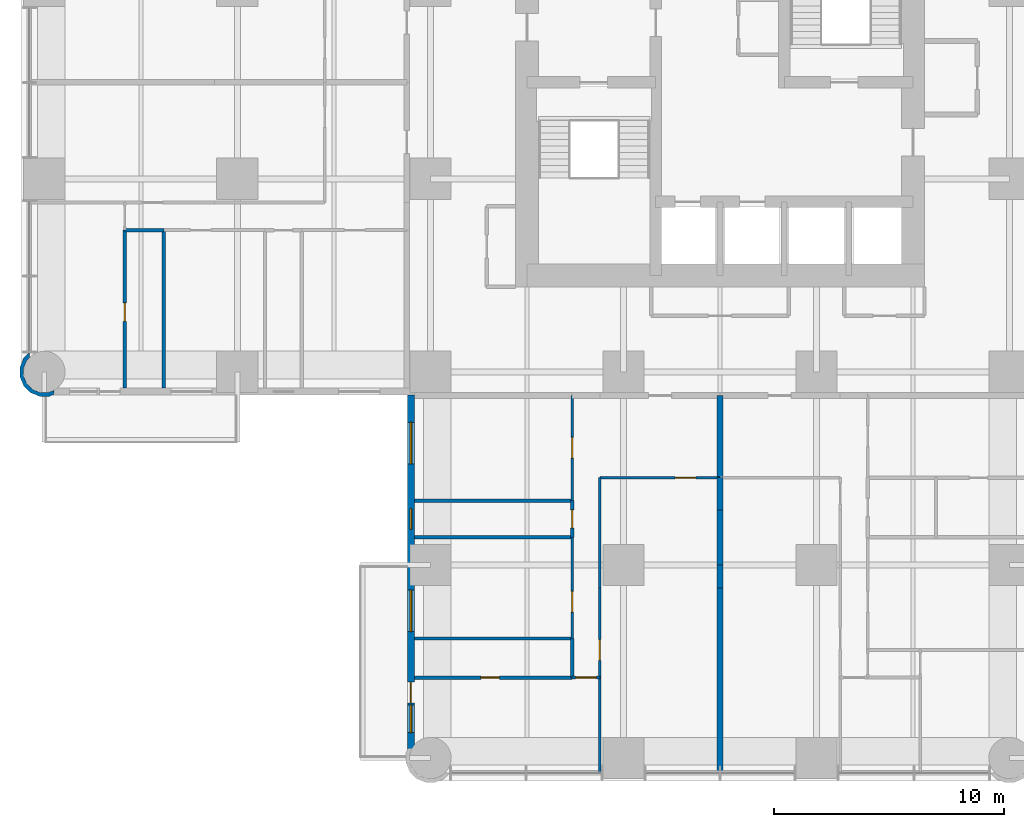
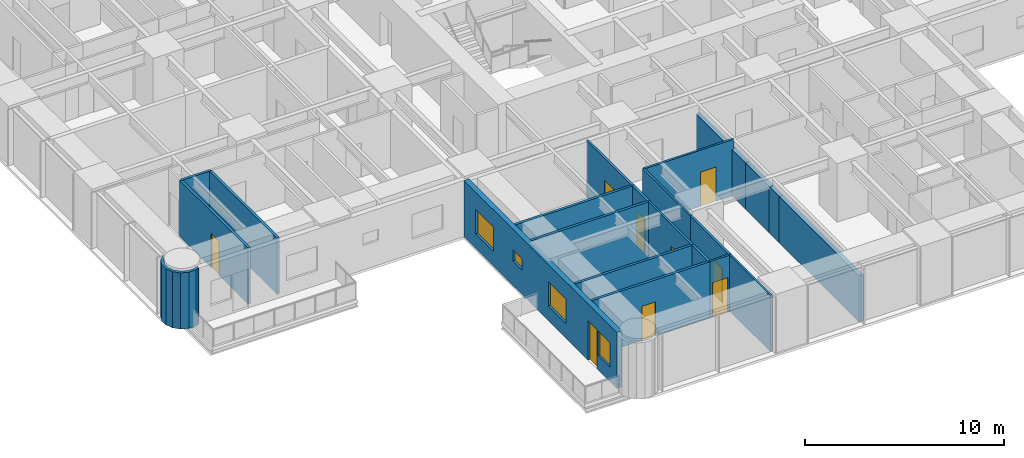
# One storey, part 7 of 17: 23 walls, 9 doors, 4 windows, 13 openings.
"""IFC4 building model written with IfcOpenShell, lengths in metres."""

from ifc_helpers import new_model, si_unit, direction, frame, frame_2d, origin, place, context, subcontext, project, spatial, polyline, rectangle, outline, extrude, material, layer, layer_set, type_object, element, fill, save


model = new_model("IFC4")

# Units and contexts
model_context = context("Model", 3, precision=1e-05, world=origin(), true_north=direction((0.0, 1.0)))
body_context = subcontext(model_context, "Body", "Model", "MODEL_VIEW")
ifc_project = project(units=[si_unit("LENGTHUNIT", "METRE"), si_unit("AREAUNIT", "SQUARE_METRE"), si_unit("VOLUMEUNIT", "CUBIC_METRE"), si_unit("PLANEANGLEUNIT", "RADIAN"), si_unit("MASSUNIT", "GRAM", prefix="KILO")], contexts=[model_context])

# Site, building, storey
site_placement = place(None, origin())
site = spatial("IfcSite", under=ifc_project, at=site_placement, CompositionType="ELEMENT")
building_placement = place(site_placement, origin())
building = spatial("IfcBuilding", under=site, at=building_placement, Name="Torre Alcanfor", CompositionType="ELEMENT")
storey_placement = place(building_placement, frame((0.0, 0.0, 59.699951171875)))
storey = spatial("IfcBuildingStorey", under=building, at=storey_placement, Name="L14", CompositionType="ELEMENT", Elevation=59.699951171875)

# Wall, opening, door
ifc_material_1 = material(Name="Gypsum board on steel studs", Category="steel")
ifc_layer_1 = layer(ifc_material_1, 0.1201171875)
ifc_layer_set_1 = layer_set([ifc_layer_1], Name="Apartment partition 120")
wall_type_1 = type_object("IfcWallType", Name="Apartment partition 120", PredefinedType="PARTITIONING", material=ifc_layer_set_1)
wall_1_placement = place(storey_placement, frame((29.39990234375, 12.199951171875, 0.0), z_axis=(0.0, 0.0, 1.0), x_axis=(-1.0, 0.0, 0.0)))
wall_1 = element("IfcWall", 1, at=wall_1_placement, inside=storey, type_object=wall_type_1, Name="Partition L14-S2-ZAG / L14-S2-KITCHEN", PredefinedType="PARTITIONING", context=body_context, shape_type="SweptSolid", body=[
    extrude(rectangle(XDim=5.22900390625, YDim=0.1201171875, at=frame_2d((2.614501953125, 0.0))), origin(), (0.0, 0.0, 1.0), 3.449951171875),
])
opening_1_placement = place(wall_1_placement, frame((1.050048828125, 0.0, 0.0)))
opening_1 = element("IfcOpeningElement", 2, at=opening_1_placement, cuts=wall_1, Name="Opening D-R1", PredefinedType="OPENING", context=body_context, shape_type="SweptSolid", body=[
    extrude(rectangle(XDim=0.89990234375, YDim=2.10009765625, at=frame_2d((0.449951171875, 1.050048828125))), frame((0.0, 0.070068359375, 0.0), z_axis=(0.0, -1.0, 0.0), x_axis=(1.0, 0.0, 0.0)), (0.0, 0.0, 1.0), 0.14013671875),
])
ifc_material_2 = material(Name="Timber", Category="wood")
door_type_1 = type_object("IfcDoorType", Name="Internal door 900x2100", OperationType="SINGLE_SWING_LEFT", PredefinedType="DOOR", material=ifc_material_2)
door_1_placement = place(opening_1_placement, origin())
door_1 = element("IfcDoor", 3, at=door_1_placement, inside=storey, type_object=door_type_1, Name="Door L14-S2 kitchen", OperationType="SINGLE_SWING_LEFT", OverallHeight=2.10009765625, OverallWidth=0.89990234375, PredefinedType="DOOR", context=body_context, shape_type="SweptSolid", body=[
    extrude(rectangle(XDim=0.89990234375, YDim=2.10009765625, at=frame_2d((0.449951171875, 1.050048828125))), frame((0.0, 0.02490234375, 0.0), z_axis=(0.0, -1.0, 0.0), x_axis=(1.0, 0.0, 0.0)), (0.0, 0.0, 1.0), 0.050048828125),
])
fill(opening_1, door_1)

# Wall
wall_2_placement = place(storey_placement, frame((24.1708984375, 7.39990234375, 0.0), z_axis=(0.0, 0.0, 1.0), x_axis=(0.0, 1.0, 0.0)))
element("IfcWall", 4, at=wall_2_placement, inside=storey, type_object=wall_type_1, Name="Partition L14-S2-KITCHEN / L14-S2-HALL", PredefinedType="PARTITIONING", context=body_context, shape_type="SweptSolid", body=[
    extrude(rectangle(XDim=4.800048828125, YDim=0.1201171875, at=frame_2d((2.39990234375, 0.0))), origin(), (0.0, 0.0, 1.0), 3.449951171875),
])

# Wall, opening, door
wall_3_placement = place(storey_placement, frame((24.1708984375, 3.5, 0.0), z_axis=(0.0, 0.0, 1.0), x_axis=(0.0, 1.0, 0.0)))
wall_3 = element("IfcWall", 5, at=wall_3_placement, inside=storey, type_object=wall_type_1, Name="Partition L14-S2-LIVING / L14-S2-HALL", PredefinedType="PARTITIONING", context=body_context, shape_type="SweptSolid", body=[
    extrude(rectangle(XDim=3.89990234375, YDim=0.1201171875, at=frame_2d((1.949951171875, 0.0))), origin(), (0.0, 0.0, 1.0), 3.449951171875),
])
opening_2_placement = place(wall_3_placement, frame((0.75, 0.0, 0.0)))
opening_2 = element("IfcOpeningElement", 6, at=opening_2_placement, cuts=wall_3, Name="Opening D-R1", PredefinedType="OPENING", context=body_context, shape_type="SweptSolid", body=[
    extrude(rectangle(XDim=0.89990234375, YDim=2.10009765625, at=frame_2d((0.449951171875, 1.050048828125))), frame((0.0, 0.070068359375, 0.0), z_axis=(0.0, -1.0, 0.0), x_axis=(1.0, 0.0, 0.0)), (0.0, 0.0, 1.0), 0.14013671875),
])
door_2_placement = place(opening_2_placement, frame((0.89990234375, 0.0, 0.0), z_axis=(0.0, 0.0, 1.0), x_axis=(-1.0, 0.0, 0.0)))
door_2 = element("IfcDoor", 7, at=door_2_placement, inside=storey, type_object=door_type_1, Name="Door L14-S2 living", OperationType="SINGLE_SWING_LEFT", OverallHeight=2.10009765625, OverallWidth=0.89990234375, PredefinedType="DOOR", context=body_context, shape_type="SweptSolid", body=[
    extrude(rectangle(XDim=0.89990234375, YDim=2.10009765625, at=frame_2d((0.449951171875, 1.050048828125))), frame((0.0, 0.025146484375, 0.0), z_axis=(0.0, -1.0, 0.0), x_axis=(1.0, 0.0, 0.0)), (0.0, 0.0, 1.0), 0.050048828125),
])
fill(opening_2, door_2)

# Wall
wall_4_placement = place(storey_placement, frame((24.1708984375, -0.64990234375, 0.0), z_axis=(0.0, 0.0, 1.0), x_axis=(0.0, 1.0, 0.0)))
element("IfcWall", 8, at=wall_4_placement, inside=storey, type_object=wall_type_1, Name="Partition L14-S2-LIVING / L14-S2-MASTER", PredefinedType="PARTITIONING", context=body_context, shape_type="SweptSolid", body=[
    extrude(rectangle(XDim=4.14990234375, YDim=0.1201171875, at=frame_2d((2.074951171875, 0.0))), origin(), (0.0, 0.0, 1.0), 3.449951171875),
])

# Wall, opening, door
wall_5_placement = place(storey_placement, frame((22.970947265625, 11.199951171875, 0.0), z_axis=(0.0, 0.0, 1.0), x_axis=(0.0, 1.0, 0.0)))
wall_5 = element("IfcWall", 9, at=wall_5_placement, inside=storey, type_object=wall_type_1, Name="Partition L14-S2-HALL / L14-S2-BED3", PredefinedType="PARTITIONING", context=body_context, shape_type="SweptSolid", body=[
    extrude(rectangle(XDim=4.574951171875, YDim=0.1201171875, at=frame_2d((2.28759765625, 0.0))), origin(), (0.0, 0.0, 1.0), 3.449951171875),
])
opening_3_placement = place(wall_5_placement, frame((1.85009765625, 0.0, 0.0)))
opening_3 = element("IfcOpeningElement", 10, at=opening_3_placement, cuts=wall_5, Name="Opening D-R1", PredefinedType="OPENING", context=body_context, shape_type="SweptSolid", body=[
    extrude(rectangle(XDim=0.89990234375, YDim=2.10009765625, at=frame_2d((0.449951171875, 1.050048828125))), frame((0.0, 0.070068359375, 0.0), z_axis=(0.0, -1.0, 0.0), x_axis=(1.0, 0.0, 0.0)), (0.0, 0.0, 1.0), 0.14013671875),
])
door_3_placement = place(opening_3_placement, origin())
door_3 = element("IfcDoor", 11, at=door_3_placement, inside=storey, type_object=door_type_1, Name="Door L14-S2 bed3", OperationType="SINGLE_SWING_RIGHT", OverallHeight=2.10009765625, OverallWidth=0.89990234375, PredefinedType="DOOR", context=body_context, shape_type="SweptSolid", body=[
    extrude(rectangle(XDim=0.89990234375, YDim=2.10009765625, at=frame_2d((0.449951171875, 1.050048828125))), frame((0.0, 0.02490234375, 0.0), z_axis=(0.0, -1.0, 0.0), x_axis=(1.0, 0.0, 0.0)), (0.0, 0.0, 1.0), 0.050048828125),
])
fill(opening_3, door_3)

wall_6_placement = place(storey_placement, frame((22.970947265625, 5.199951171875, 0.0), z_axis=(0.0, 0.0, 1.0), x_axis=(0.0, 1.0, 0.0)))
wall_6 = element("IfcWall", 12, at=wall_6_placement, inside=storey, type_object=wall_type_1, Name="Partition L14-S2-HALL / L14-S2-BED2", PredefinedType="PARTITIONING", context=body_context, shape_type="SweptSolid", body=[
    extrude(rectangle(XDim=4.400146484375, YDim=0.1201171875, at=frame_2d((2.2001953125, 0.0))), origin(), (0.0, 0.0, 1.0), 3.449951171875),
])
opening_4_placement = place(wall_6_placement, frame((1.14990234375, 0.0, 0.0)))
opening_4 = element("IfcOpeningElement", 13, at=opening_4_placement, cuts=wall_6, Name="Opening D-R1", PredefinedType="OPENING", context=body_context, shape_type="SweptSolid", body=[
    extrude(rectangle(XDim=0.89990234375, YDim=2.10009765625, at=frame_2d((0.449951171875, 1.050048828125))), frame((0.0, 0.070068359375, 0.0), z_axis=(0.0, -1.0, 0.0), x_axis=(1.0, 0.0, 0.0)), (0.0, 0.0, 1.0), 0.14013671875),
])
door_4_placement = place(opening_4_placement, origin())
door_4 = element("IfcDoor", 14, at=door_4_placement, inside=storey, type_object=door_type_1, Name="Door L14-S2 bed2", OperationType="SINGLE_SWING_LEFT", OverallHeight=2.10009765625, OverallWidth=0.89990234375, PredefinedType="DOOR", context=body_context, shape_type="SweptSolid", body=[
    extrude(rectangle(XDim=0.89990234375, YDim=2.10009765625, at=frame_2d((0.449951171875, 1.050048828125))), frame((0.0, 0.02490234375, 0.0), z_axis=(0.0, -1.0, 0.0), x_axis=(1.0, 0.0, 0.0)), (0.0, 0.0, 1.0), 0.050048828125),
])
fill(opening_4, door_4)

wall_7_placement = place(storey_placement, frame((24.1708984375, 3.5, 0.0), z_axis=(0.0, 0.0, 1.0), x_axis=(-1.0, 0.0, 0.0)))
wall_7 = element("IfcWall", 15, at=wall_7_placement, inside=storey, type_object=wall_type_1, Name="Partition L14-S2-HALL / L14-S2-MASTER", PredefinedType="PARTITIONING", context=body_context, shape_type="SweptSolid", body=[
    extrude(rectangle(XDim=1.199951171875, YDim=0.1201171875, at=frame_2d((0.60009765625, 0.0))), origin(), (0.0, 0.0, 1.0), 3.449951171875),
])
opening_5_placement = place(wall_7_placement, frame((0.15087890625, 0.0, 0.0)))
opening_5 = element("IfcOpeningElement", 16, at=opening_5_placement, cuts=wall_7, Name="Opening D-R1", PredefinedType="OPENING", context=body_context, shape_type="SweptSolid", body=[
    extrude(rectangle(XDim=0.89990234375, YDim=2.10009765625, at=frame_2d((0.449951171875, 1.050048828125))), frame((0.0, 0.070068359375, 0.0), z_axis=(0.0, -1.0, 0.0), x_axis=(1.0, 0.0, 0.0)), (0.0, 0.0, 1.0), 0.14013671875),
])
door_5_placement = place(opening_5_placement, origin())
door_5 = element("IfcDoor", 17, at=door_5_placement, inside=storey, type_object=door_type_1, Name="Door L14-S2 master", OperationType="SINGLE_SWING_LEFT", OverallHeight=2.10009765625, OverallWidth=0.89990234375, PredefinedType="DOOR", context=body_context, shape_type="SweptSolid", body=[
    extrude(rectangle(XDim=0.89990234375, YDim=2.10009765625, at=frame_2d((0.449951171875, 1.050048828125))), frame((0.0, 0.02490234375, 0.0), z_axis=(0.0, -1.0, 0.0), x_axis=(1.0, 0.0, 0.0)), (0.0, 0.0, 1.0), 0.050048828125),
])
fill(opening_5, door_5)

# Wall, openings, door, windows
ifc_material_3 = material(Name="Limestone cladding", Category="masonry")
ifc_layer_2 = layer(ifc_material_3, 0.0400390625, Name="Facing")
ifc_material_4 = material(Name="Ventilated air cavity")
ifc_layer_3 = layer(ifc_material_4, 0.02001953125, ventilated=True, Name="Ventilated joint")
ifc_material_5 = material(Name="Mineral wool insulation", Category="insulation")
ifc_layer_4 = layer(ifc_material_5, 0.10009765625, Name="Insulation")
ifc_material_6 = material(Name="Concrete f'c 35 MPa", Category="concrete")
ifc_layer_5 = layer(ifc_material_6, 0.139892578125, Name="Backing")
ifc_layer_set_2 = layer_set([ifc_layer_2, ifc_layer_3, ifc_layer_4, ifc_layer_5], Name="External wall stone-clad 300")
wall_type_2 = type_object("IfcWallType", Name="External wall stone-clad 300", PredefinedType="SOLIDWALL", material=ifc_layer_set_2)
wall_8_placement = place(storey_placement, frame((15.949951171875, 15.800048828125, 0.0), z_axis=(0.0, 0.0, 1.0), x_axis=(0.0, -1.0, 0.0)))
wall_8 = element("IfcWall", 18, at=wall_8_placement, inside=storey, type_object=wall_type_2, Name="External wall L14 4", PredefinedType="SOLIDWALL", context=body_context, shape_type="SweptSolid", body=[
    extrude(rectangle(XDim=15.400146484375, YDim=0.300048828125, at=frame_2d((7.7001953125, 0.0))), origin(), (0.0, 0.0, 1.0), 3.449951171875),
])
opening_6_placement = place(wall_8_placement, frame((1.199951171875, 0.0, 0.89990234375)))
opening_6 = element("IfcOpeningElement", 19, at=opening_6_placement, cuts=wall_8, Name="Opening W2", PredefinedType="OPENING", context=body_context, shape_type="SweptSolid", body=[
    extrude(rectangle(XDim=1.800048828125, YDim=1.5, at=frame_2d((0.89990234375, 0.75))), frame((0.0, 0.159912109375, 0.0), z_axis=(0.0, -1.0, 0.0), x_axis=(1.0, 0.0, 0.0)), (0.0, 0.0, 1.0), 0.320068359375),
])
opening_7_placement = place(wall_8_placement, frame((4.949951171875, 0.0, 1.5)))
opening_7 = element("IfcOpeningElement", 20, at=opening_7_placement, cuts=wall_8, Name="Opening W3", PredefinedType="OPENING", context=body_context, shape_type="SweptSolid", body=[
    extrude(rectangle(XDim=0.89990234375, YDim=0.699951171875, at=frame_2d((0.449951171875, 0.35009765625))), frame((0.0, 0.159912109375, 0.0), z_axis=(0.0, -1.0, 0.0), x_axis=(1.0, 0.0, 0.0)), (0.0, 0.0, 1.0), 0.320068359375),
])
opening_8_placement = place(wall_8_placement, frame((8.5, 0.0, 0.89990234375)))
opening_8 = element("IfcOpeningElement", 21, at=opening_8_placement, cuts=wall_8, Name="Opening W2", PredefinedType="OPENING", context=body_context, shape_type="SweptSolid", body=[
    extrude(rectangle(XDim=1.800048828125, YDim=1.5, at=frame_2d((0.89990234375, 0.75))), frame((0.0, 0.159912109375, 0.0), z_axis=(0.0, -1.0, 0.0), x_axis=(1.0, 0.0, 0.0)), (0.0, 0.0, 1.0), 0.320068359375),
])
opening_9_placement = place(wall_8_placement, frame((12.5, 0.0, 0.0)))
opening_9 = element("IfcOpeningElement", 22, at=opening_9_placement, cuts=wall_8, Name="Opening D-B1", PredefinedType="OPENING", context=body_context, shape_type="SweptSolid", body=[
    extrude(rectangle(XDim=0.89990234375, YDim=2.39990234375, at=frame_2d((0.449951171875, 1.199951171875))), frame((0.0, 0.159912109375, 0.0), z_axis=(0.0, -1.0, 0.0), x_axis=(1.0, 0.0, 0.0)), (0.0, 0.0, 1.0), 0.320068359375),
])
opening_10_placement = place(wall_8_placement, frame((13.5, 0.0, 0.89990234375)))
opening_10 = element("IfcOpeningElement", 23, at=opening_10_placement, cuts=wall_8, Name="Opening W4", PredefinedType="OPENING", context=body_context, shape_type="SweptSolid", body=[
    extrude(rectangle(XDim=1.199951171875, YDim=1.5, at=frame_2d((0.60009765625, 0.75))), frame((0.0, 0.159912109375, 0.0), z_axis=(0.0, -1.0, 0.0), x_axis=(1.0, 0.0, 0.0)), (0.0, 0.0, 1.0), 0.320068359375),
])
ifc_material_7 = material(Name="Aluminium and glass", Category="aluminium")
door_type_2 = type_object("IfcDoorType", Name="Balcony door glazed 900x2400", OperationType="SINGLE_SWING_LEFT", PredefinedType="DOOR", material=ifc_material_7)
door_6_placement = place(opening_9_placement, origin())
door_6 = element("IfcDoor", 24, at=door_6_placement, inside=storey, type_object=door_type_2, Name="Balcony door L14-S2", OperationType="SINGLE_SWING_LEFT", OverallHeight=2.39990234375, OverallWidth=0.89990234375, PredefinedType="DOOR", context=body_context, shape_type="SweptSolid", body=[
    extrude(rectangle(XDim=0.89990234375, YDim=2.39990234375, at=frame_2d((0.449951171875, 1.199951171875))), frame((0.0, 0.02490234375, 0.0), z_axis=(0.0, -1.0, 0.0), x_axis=(1.0, 0.0, 0.0)), (0.0, 0.0, 1.0), 0.050048828125),
])
fill(opening_9, door_6)
ifc_material_8 = material(Name="Aluminium frame with clear double glazing", Category="aluminium")
window_type_1 = type_object("IfcWindowType", Name="Window bathroom 900x700", PartitioningType="SINGLE_PANEL", PredefinedType="WINDOW", material=ifc_material_8)
window_1_placement = place(opening_7_placement, origin())
window_1 = element("IfcWindow", 25, at=window_1_placement, inside=storey, type_object=window_type_1, Name="Window W3 L14-S2", OverallHeight=0.699951171875, OverallWidth=0.89990234375, PartitioningType="SINGLE_PANEL", PredefinedType="WINDOW", context=body_context, shape_type="SweptSolid", body=[
    extrude(rectangle(XDim=0.89990234375, YDim=0.699951171875, at=frame_2d((0.449951171875, 0.35009765625))), frame((0.0, 0.030029296875, 0.0), z_axis=(0.0, -1.0, 0.0), x_axis=(1.0, 0.0, 0.0)), (0.0, 0.0, 1.0), 0.06005859375),
])
fill(opening_7, window_1)
ifc_material_9 = material(Name="Aluminium frame with clear double glazing", Category="aluminium")
window_type_2 = type_object("IfcWindowType", Name="Window bedroom 1200x1500", PartitioningType="SINGLE_PANEL", PredefinedType="WINDOW", material=ifc_material_9)
window_2_placement = place(opening_10_placement, origin())
window_2 = element("IfcWindow", 26, at=window_2_placement, inside=storey, type_object=window_type_2, Name="Window W4 L14-S2", OverallHeight=1.5, OverallWidth=1.199951171875, PartitioningType="SINGLE_PANEL", PredefinedType="WINDOW", context=body_context, shape_type="SweptSolid", body=[
    extrude(rectangle(XDim=1.199951171875, YDim=1.5, at=frame_2d((0.60009765625, 0.75))), frame((0.0, 0.030029296875, 0.0), z_axis=(0.0, -1.0, 0.0), x_axis=(1.0, 0.0, 0.0)), (0.0, 0.0, 1.0), 0.06005859375),
])
fill(opening_10, window_2)
ifc_material_10 = material(Name="Aluminium frame with clear double glazing", Category="aluminium")
window_type_3 = type_object("IfcWindowType", Name="Window bedroom 1800x1500", PartitioningType="SINGLE_PANEL", PredefinedType="WINDOW", material=ifc_material_10)
window_3_placement = place(opening_6_placement, origin())
window_3 = element("IfcWindow", 27, at=window_3_placement, inside=storey, type_object=window_type_3, Name="Window W2 L14-S2", OverallHeight=1.5, OverallWidth=1.800048828125, PartitioningType="SINGLE_PANEL", PredefinedType="WINDOW", context=body_context, shape_type="SweptSolid", body=[
    extrude(rectangle(XDim=1.800048828125, YDim=1.5, at=frame_2d((0.89990234375, 0.75))), frame((0.0, 0.030029296875, 0.0), z_axis=(0.0, -1.0, 0.0), x_axis=(1.0, 0.0, 0.0)), (0.0, 0.0, 1.0), 0.06005859375),
])
fill(opening_6, window_3)
window_4_placement = place(opening_8_placement, origin())
window_4 = element("IfcWindow", 28, at=window_4_placement, inside=storey, type_object=window_type_3, Name="Window W2 L14-S2", OverallHeight=1.5, OverallWidth=1.800048828125, PartitioningType="SINGLE_PANEL", PredefinedType="WINDOW", context=body_context, shape_type="SweptSolid", body=[
    extrude(rectangle(XDim=1.800048828125, YDim=1.5, at=frame_2d((0.89990234375, 0.75))), frame((0.0, 0.030029296875, 0.0), z_axis=(0.0, -1.0, 0.0), x_axis=(1.0, 0.0, 0.0)), (0.0, 0.0, 1.0), 0.06005859375),
])
fill(opening_8, window_4)

# Walls
ifc_material_11 = material(Name="Concrete block masonry, hollow blocks NMX-C-404 9 MPa", Category="masonry")
ifc_layer_6 = layer(ifc_material_11, 0.25)
ifc_layer_set_3 = layer_set([ifc_layer_6], Name="Party wall 250 EI 60")
wall_type_3 = type_object("IfcWallType", Name="Party wall 250 EI 60", PredefinedType="PARTITIONING", material=ifc_layer_set_3)
wall_9_placement = place(storey_placement, frame((29.39990234375, 15.77490234375, 0.0), z_axis=(0.0, 0.0, 1.0), x_axis=(0.0, -1.0, 0.0)))
element("IfcWall", 29, at=wall_9_placement, inside=storey, type_object=wall_type_3, Name="Partition L14-S1-ZAG / L14-S2-ZAG", PredefinedType="PARTITIONING", context=body_context, shape_type="SweptSolid", body=[
    extrude(rectangle(XDim=3.574951171875, YDim=0.25, at=frame_2d((1.78759765625, 0.0))), origin(), (0.0, 0.0, 1.0), 2.84814453125),
])
wall_10_placement = place(storey_placement, frame((29.39990234375, 12.199951171875, 0.0), z_axis=(0.0, 0.0, 1.0), x_axis=(0.0, -1.0, 0.0)))
element("IfcWall", 30, at=wall_10_placement, inside=storey, type_object=wall_type_3, Name="Partition L14-S1-LAUND / L14-S2-KITCHEN", PredefinedType="PARTITIONING", context=body_context, shape_type="SweptSolid", body=[
    extrude(rectangle(XDim=1.39990234375, YDim=0.25, at=frame_2d((0.699951171875, 0.0))), origin(), (0.0, 0.0, 1.0), 2.84814453125),
])
wall_11_placement = place(storey_placement, frame((29.39990234375, 10.800048828125, 0.0), z_axis=(0.0, 0.0, 1.0), x_axis=(0.0, -1.0, 0.0)))
element("IfcWall", 31, at=wall_11_placement, inside=storey, type_object=wall_type_3, Name="Partition L14-S1-KITCHEN / L14-S2-KITCHEN", PredefinedType="PARTITIONING", context=body_context, shape_type="SweptSolid", body=[
    extrude(rectangle(XDim=2.400146484375, YDim=0.25, at=frame_2d((1.2001953125, 0.0))), origin(), (0.0, 0.0, 1.0), 2.84814453125),
])
wall_12_placement = place(storey_placement, frame((29.39990234375, 8.39990234375, 0.0), z_axis=(0.0, 0.0, 1.0), x_axis=(0.0, -1.0, 0.0)))
element("IfcWall", 32, at=wall_12_placement, inside=storey, type_object=wall_type_3, Name="Partition L14-S1-LIVING / L14-S2-KITCHEN", PredefinedType="PARTITIONING", context=body_context, shape_type="SweptSolid", body=[
    extrude(rectangle(XDim=1.0, YDim=0.25, at=frame_2d((0.5, 0.0))), origin(), (0.0, 0.0, 1.0), 2.84814453125),
])
wall_13_placement = place(storey_placement, frame((29.39990234375, 7.39990234375, 0.0), z_axis=(0.0, 0.0, 1.0), x_axis=(0.0, -1.0, 0.0)))
element("IfcWall", 33, at=wall_13_placement, inside=storey, type_object=wall_type_3, Name="Partition L14-S1-LIVING / L14-S2-LIVING", PredefinedType="PARTITIONING", context=body_context, shape_type="SweptSolid", body=[
    extrude(rectangle(XDim=8.0498046875, YDim=0.25, at=frame_2d((4.02490234375, 0.0))), origin(), (0.0, 0.0, 1.0), 2.84814453125),
])
ifc_layer_7 = layer(ifc_material_3, 0.0400390625, Name="Facing")
ifc_layer_8 = layer(ifc_material_4, 0.02001953125, ventilated=True, Name="Ventilated joint")
ifc_layer_9 = layer(ifc_material_5, 0.10009765625, Name="Insulation")
ifc_layer_10 = layer(ifc_material_6, 0.139892578125, Name="Backing")
ifc_layer_set_4 = layer_set([ifc_layer_7, ifc_layer_8, ifc_layer_9, ifc_layer_10], Name="Rounded corner pier stone-clad 300")
wall_type_4 = type_object("IfcWallType", Name="Rounded corner pier stone-clad 300", PredefinedType="SOLIDWALL", material=ifc_layer_set_4)
wall_14_placement = place(storey_placement, frame((-0.610519256, 17.56659392, 0.0), z_axis=(0.0, 0.0, 1.0), x_axis=(-0.926129809145, -0.377204953059, 0.0)))
element("IfcWall", 34, at=wall_14_placement, inside=storey, type_object=wall_type_4, Name="Corner pier L14 14", PredefinedType="SOLIDWALL", context=body_context, shape_type="SweptSolid", body=[
    extrude(outline(polyline([(-0.2694320048751383, 2.0171861008885523), (-0.3700526678318482, 1.8406866495551875), (-0.10232913830325796, 1.8423628952563784), (0.22959433821660935, 1.7071732294627), (0.4846648868960458, 1.4551341488862783), (0.6237723089217844, 1.1248457008471362), (0.6256501657648526, 0.7663568996565957), (0.49046049997117414, 0.4344334231367283), (0.2387396163581813, 0.17949688931473468), (0.09014163443691028, 0.11691195088889664), (0.010851237809964043, -0.07776523799639344), (0.024417592436116662, -0.08329070117597158), (0.32956848036437986, 0.045229547111777235), (0.4801338191951393, 0.19743274075920003), (0.4990091877024963, 0.1926447125875501), (0.5075557555746872, 0.2252788612711387), (0.6260018077392729, 0.3452223941390844), (0.7850430562581303, 0.7357073014618439), (0.782472278983801, 1.15721841463542), (0.6187061231885674, 1.5460551039454697), (0.3187132761612602, 1.8424884313203629), (-0.07154552525106339, 2.0014375887862275), (-0.2401131340992967, 2.00049972024067), (-0.2694320048751383, 2.0171861008885523)])), origin(), (0.0, 0.0, 1.0), 3.449951171875),
])

# Wall, opening, door
ifc_material_12 = material(Name="Cement board on steel studs", Category="steel")
ifc_layer_11 = layer(ifc_material_12, 0.14990234375)
ifc_layer_set_5 = layer_set([ifc_layer_11], Name="Wet area partition 150")
wall_type_5 = type_object("IfcWallType", Name="Wet area partition 150", PredefinedType="PARTITIONING", material=ifc_layer_set_5)
wall_15_placement = place(storey_placement, frame((22.970947265625, 9.60009765625, 0.0), z_axis=(0.0, 0.0, 1.0), x_axis=(0.0, 1.0, 0.0)))
wall_15 = element("IfcWall", 35, at=wall_15_placement, inside=storey, type_object=wall_type_5, Name="Partition L14-S2-HALL / L14-S2-BATH1", PredefinedType="PARTITIONING", context=body_context, shape_type="SweptSolid", body=[
    extrude(rectangle(XDim=1.599853515625, YDim=0.14990234375, at=frame_2d((0.7998046875, 0.0))), origin(), (0.0, 0.0, 1.0), 3.449951171875),
])
opening_11_placement = place(wall_15_placement, frame((0.39990234375, 0.0, 0.0)))
opening_11 = element("IfcOpeningElement", 36, at=opening_11_placement, cuts=wall_15, Name="Opening D-R2", PredefinedType="OPENING", context=body_context, shape_type="SweptSolid", body=[
    extrude(rectangle(XDim=0.800048828125, YDim=2.10009765625, at=frame_2d((0.39990234375, 1.050048828125))), frame((0.0, 0.0849609375, 0.0), z_axis=(0.0, -1.0, 0.0), x_axis=(1.0, 0.0, 0.0)), (0.0, 0.0, 1.0), 0.169921875),
])
ifc_material_13 = material(Name="Timber", Category="wood")
door_type_3 = type_object("IfcDoorType", Name="Bathroom door 800x2100", OperationType="SINGLE_SWING_LEFT", PredefinedType="DOOR", material=ifc_material_13)
door_7_placement = place(opening_11_placement, origin())
door_7 = element("IfcDoor", 37, at=door_7_placement, inside=storey, type_object=door_type_3, Name="Door L14-S2 bath1", OperationType="SINGLE_SWING_LEFT", OverallHeight=2.10009765625, OverallWidth=0.800048828125, PredefinedType="DOOR", context=body_context, shape_type="SweptSolid", body=[
    extrude(rectangle(XDim=0.800048828125, YDim=2.10009765625, at=frame_2d((0.39990234375, 1.050048828125))), frame((0.0, 0.02490234375, 0.0), z_axis=(0.0, -1.0, 0.0), x_axis=(1.0, 0.0, 0.0)), (0.0, 0.0, 1.0), 0.050048828125),
])
fill(opening_11, door_7)

# Walls
wall_16_placement = place(storey_placement, frame((22.970947265625, 3.5, 0.0), z_axis=(0.0, 0.0, 1.0), x_axis=(0.0, 1.0, 0.0)))
element("IfcWall", 38, at=wall_16_placement, inside=storey, type_object=wall_type_5, Name="Partition L14-S2-HALL / L14-S2-ENSBATH", PredefinedType="PARTITIONING", context=body_context, shape_type="SweptSolid", body=[
    extrude(rectangle(XDim=1.699951171875, YDim=0.14990234375, at=frame_2d((0.85009765625, 0.0))), origin(), (0.0, 0.0, 1.0), 3.449951171875),
])
for number, where, z_axis, x_axis, name in (
    (39, (22.970947265625, 11.199951171875, 0.0), (0.0, 0.0, 1.0), (-1.0, 0.0, 0.0), "Partition L14-S2-BED3 / L14-S2-BATH1"),
    (40, (22.970947265625, 9.60009765625, 0.0), (0.0, 0.0, 1.0), (-1.0, 0.0, 0.0), "Partition L14-S2-BATH1 / L14-S2-BED2"),
    (41, (22.970947265625, 5.199951171875, 0.0), (0.0, 0.0, 1.0), (-1.0, 0.0, 0.0), "Partition L14-S2-BED2 / L14-S2-ENSBATH"),
):
    element("IfcWall", number, at=place(storey_placement, frame(where, z_axis=z_axis, x_axis=x_axis)), inside=storey, type_object=wall_type_5, Name=name, PredefinedType="PARTITIONING", context=body_context, shape_type="SweptSolid", body=[
        extrude(rectangle(XDim=6.870849609375, YDim=0.14990234375, at=frame_2d((3.435546875, 0.0))), origin(), (0.0, 0.0, 1.0), 3.449951171875),
    ])

# Wall, opening, door
wall_17_placement = place(storey_placement, frame((22.970947265625, 3.5, 0.0), z_axis=(0.0, 0.0, 1.0), x_axis=(-1.0, 0.0, 0.0)))
wall_17 = element("IfcWall", 42, at=wall_17_placement, inside=storey, type_object=wall_type_5, Name="Partition L14-S2-ENSBATH / L14-S2-MASTER", PredefinedType="PARTITIONING", context=body_context, shape_type="SweptSolid", body=[
    extrude(rectangle(XDim=6.870849609375, YDim=0.14990234375, at=frame_2d((3.435546875, 0.0))), origin(), (0.0, 0.0, 1.0), 3.449951171875),
])
opening_12_placement = place(wall_17_placement, frame((3.1708984375, 0.0, 0.0)))
opening_12 = element("IfcOpeningElement", 43, at=opening_12_placement, cuts=wall_17, Name="Opening D-R2", PredefinedType="OPENING", context=body_context, shape_type="SweptSolid", body=[
    extrude(rectangle(XDim=0.800048828125, YDim=2.10009765625, at=frame_2d((0.39990234375, 1.050048828125))), frame((0.0, 0.0849609375, 0.0), z_axis=(0.0, -1.0, 0.0), x_axis=(1.0, 0.0, 0.0)), (0.0, 0.0, 1.0), 0.169921875),
])
door_8_placement = place(opening_12_placement, frame((0.800048828125, 0.0, 0.0), z_axis=(0.0, 0.0, 1.0), x_axis=(-1.0, 0.0, 0.0)))
door_8 = element("IfcDoor", 44, at=door_8_placement, inside=storey, type_object=door_type_3, Name="Door L14-S2 ensbath", OperationType="SINGLE_SWING_LEFT", OverallHeight=2.10009765625, OverallWidth=0.800048828125, PredefinedType="DOOR", context=body_context, shape_type="SweptSolid", body=[
    extrude(rectangle(XDim=0.800048828125, YDim=2.10009765625, at=frame_2d((0.400146484375, 1.050048828125))), frame((0.0, 0.025146484375, 0.0), z_axis=(0.0, -1.0, 0.0), x_axis=(1.0, 0.0, 0.0)), (0.0, 0.0, 1.0), 0.050048828125),
])
fill(opening_12, door_8)

# Walls
wall_18_placement = place(storey_placement, frame((3.5, 22.970947265625, 0.0), z_axis=(0.0, 0.0, 1.0), x_axis=(1.0, 0.0, 0.0)))
element("IfcWall", 45, at=wall_18_placement, inside=storey, type_object=wall_type_5, Name="Partition L14-W1-HALL / L14-W1-ENSBATH", PredefinedType="PARTITIONING", context=body_context, shape_type="SweptSolid", body=[
    extrude(rectangle(XDim=1.699951171875, YDim=0.14990234375, at=frame_2d((0.85009765625, 0.0))), origin(), (0.0, 0.0, 1.0), 3.449951171875),
])
wall_19_placement = place(storey_placement, frame((5.199951171875, 22.970947265625, 0.0), z_axis=(0.0, 0.0, 1.0), x_axis=(0.0, -1.0, 0.0)))
element("IfcWall", 46, at=wall_19_placement, inside=storey, type_object=wall_type_5, Name="Partition L14-W1-BED2 / L14-W1-ENSBATH", PredefinedType="PARTITIONING", context=body_context, shape_type="SweptSolid", body=[
    extrude(rectangle(XDim=6.870849609375, YDim=0.14990234375, at=frame_2d((3.435546875, 0.0))), origin(), (0.0, 0.0, 1.0), 3.449951171875),
])

# Wall, opening, door
wall_20_placement = place(storey_placement, frame((3.5, 22.970947265625, 0.0), z_axis=(0.0, 0.0, 1.0), x_axis=(0.0, -1.0, 0.0)))
wall_20 = element("IfcWall", 47, at=wall_20_placement, inside=storey, type_object=wall_type_5, Name="Partition L14-W1-ENSBATH / L14-W1-MASTER", PredefinedType="PARTITIONING", context=body_context, shape_type="SweptSolid", body=[
    extrude(rectangle(XDim=6.870849609375, YDim=0.14990234375, at=frame_2d((3.435546875, 0.0))), origin(), (0.0, 0.0, 1.0), 3.449951171875),
])
opening_13_placement = place(wall_20_placement, frame((3.1708984375, 0.0, 0.0)))
opening_13 = element("IfcOpeningElement", 48, at=opening_13_placement, cuts=wall_20, Name="Opening D-R2", PredefinedType="OPENING", context=body_context, shape_type="SweptSolid", body=[
    extrude(rectangle(XDim=0.800048828125, YDim=2.10009765625, at=frame_2d((0.39990234375, 1.050048828125))), frame((0.0, 0.0849609375, 0.0), z_axis=(0.0, -1.0, 0.0), x_axis=(1.0, 0.0, 0.0)), (0.0, 0.0, 1.0), 0.169921875),
])
door_9_placement = place(opening_13_placement, origin())
door_9 = element("IfcDoor", 49, at=door_9_placement, inside=storey, type_object=door_type_3, Name="Door L14-W1 ensbath", OperationType="SINGLE_SWING_RIGHT", OverallHeight=2.10009765625, OverallWidth=0.800048828125, PredefinedType="DOOR", context=body_context, shape_type="SweptSolid", body=[
    extrude(rectangle(XDim=0.800048828125, YDim=2.10009765625, at=frame_2d((0.39990234375, 1.050048828125))), frame((0.0, 0.02490234375, 0.0), z_axis=(0.0, -1.0, 0.0), x_axis=(1.0, 0.0, 0.0)), (0.0, 0.0, 1.0), 0.050048828125),
])
fill(opening_13, door_9)

save(model, "model.ifc")
